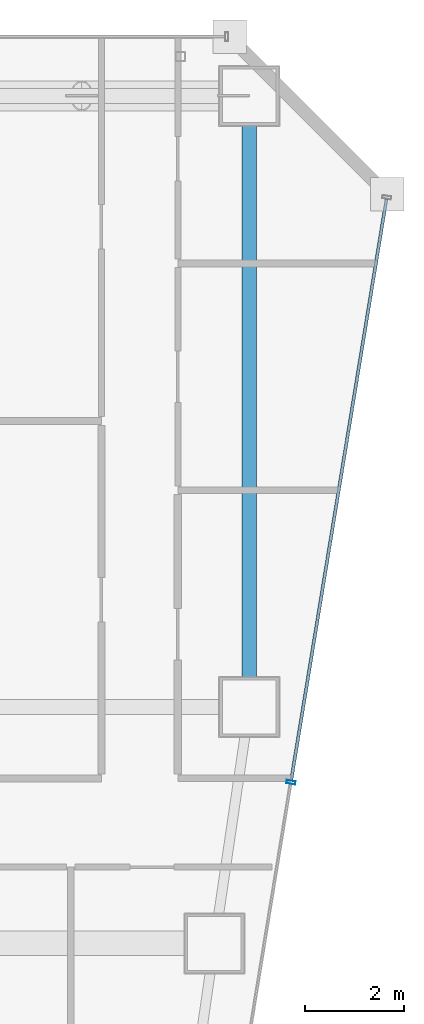
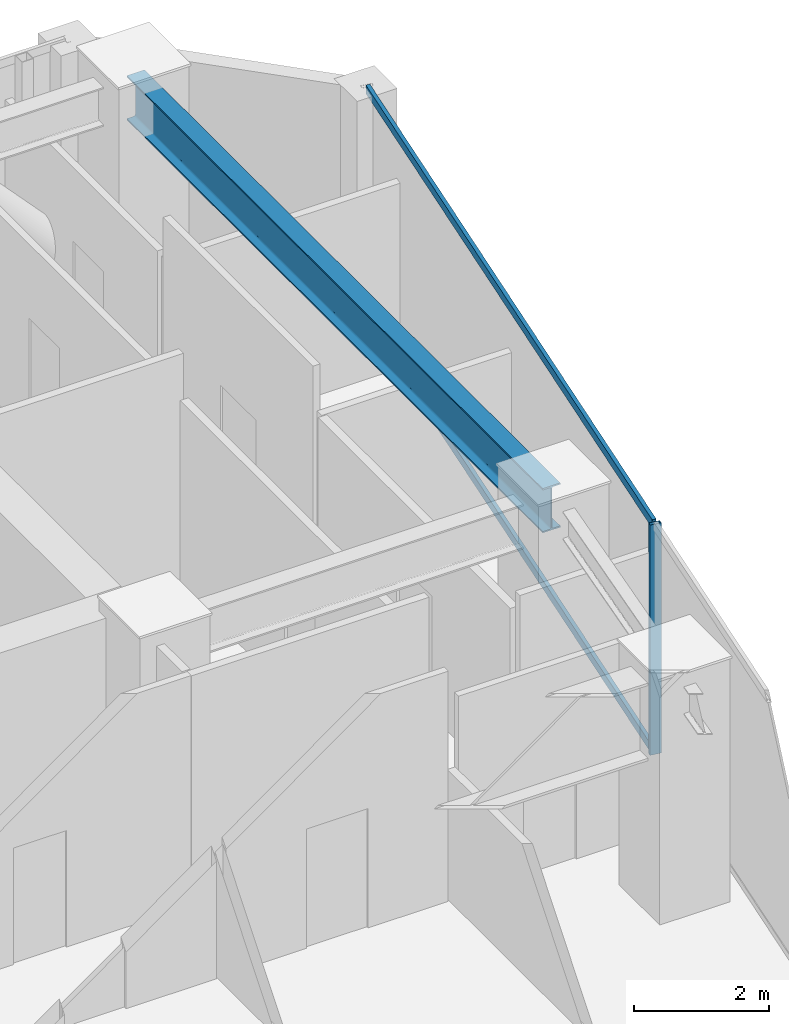
# One storey, part 30 of 40: 3 members, 1 beam, 1 element without a shape of its own.
"""IFC4 building model written with IfcOpenShell, lengths in metres."""

import ifcopenshell
import ifcopenshell.guid

model = None  # the IFC model being written
_history = None  # IfcOwnerHistory: only IFC2X3 demands one
_inside = {}  # id of a spatial element -> (the spatial element, [elements in it])
_under = {}  # id of a project, library or spatial element -> (it, [spatial elements below it])
_declared = {}  # id of a project -> (the project, [libraries it declares])
_typed = {}  # id of a type object -> (the type object, [elements of that type])
_made_of = {}  # id of a material, layer set ... -> (it, [elements and type objects made of it])


def new_model(schema):
    """Start an empty IFC model of exactly this schema.

    Asked for "IFC4X3", IfcOpenShell would pick the latest addendum, in which some entities
    have other attributes; the version numbers below select the first issue.
    IFC2X3 requires an IfcOwnerHistory on every rooted entity: one is made here for all.
    """
    global model, _history
    if schema == "IFC4X3":
        model = ifcopenshell.file(schema_version=(4, 3, 0, 0))
    else:
        model = ifcopenshell.file(schema=schema)
    _inside.clear()
    _under.clear()
    _declared.clear()
    _typed.clear()
    _made_of.clear()
    _history = None
    if model.schema == "IFC2X3":
        org = make("IfcOrganization", Name="unknown")
        user = make(
            "IfcPersonAndOrganization",
            ThePerson=make("IfcPerson", FamilyName="unknown"),
            TheOrganization=org,
        )
        app = make(
            "IfcApplication",
            ApplicationDeveloper=org,
            Version="unknown",
            ApplicationFullName="unknown",
            ApplicationIdentifier="unknown",
        )
        _history = make(
            "IfcOwnerHistory",
            OwningUser=user,
            OwningApplication=app,
            ChangeAction="ADDED",
            CreationDate=0,
        )
    return model


def make(cls, **values):
    """One entity of the class cls with the attributes given. An attribute that is None is left unset."""
    return model.create_entity(
        cls, **{name: value for name, value in values.items() if value is not None}
    )


def rooted(cls, **values):
    """An entity with a GlobalId (a new one), such as an element, a storey or a relation."""
    return make(cls, GlobalId=ifcopenshell.guid.new(), OwnerHistory=_history, **values)


def si_unit(unit_type, name, prefix=None):
    """IfcSIUnit, for example si_unit("LENGTHUNIT", "METRE", prefix="MILLI")."""
    return make("IfcSIUnit", UnitType=unit_type, Prefix=prefix, Name=name)


def assignment(units):
    """IfcUnitAssignment: the units of a project."""
    return None if units is None else make("IfcUnitAssignment", Units=units)


def point(xyz):
    """IfcCartesianPoint."""
    return None if xyz is None else make("IfcCartesianPoint", Coordinates=xyz)


def direction(xyz):
    """IfcDirection."""
    return None if xyz is None else make("IfcDirection", DirectionRatios=xyz)


def frame(location, z_axis=None, x_axis=None):
    """IfcAxis2Placement3D, a coordinate frame: its origin and axes. An axis left out is left unset."""
    return make(
        "IfcAxis2Placement3D",
        Location=point(location),
        Axis=direction(z_axis),
        RefDirection=direction(x_axis),
    )


def frame_2d(location, x_axis=None):
    """IfcAxis2Placement2D, a coordinate frame in the plane: its origin and x axis."""
    return make(
        "IfcAxis2Placement2D", Location=point(location), RefDirection=direction(x_axis)
    )


def origin():
    """The frame at (0, 0, 0) with its axes left unset."""
    return frame((0.0, 0.0, 0.0))


def origin_2d():
    """The frame at (0, 0) in the plane with its x axis left unset."""
    return frame_2d((0.0, 0.0))


def place(relative_to, where):
    """IfcLocalPlacement: puts the frame where relative to a parent placement (None: the world)."""
    return make(
        "IfcLocalPlacement", PlacementRelTo=relative_to, RelativePlacement=where
    )


def context(
    kind, dimensions, precision=None, world=None, true_north=None, identifier=None
):
    """IfcGeometricRepresentationContext, for example the 3D "Model" context."""
    return make(
        "IfcGeometricRepresentationContext",
        ContextIdentifier=identifier,
        ContextType=kind,
        CoordinateSpaceDimension=dimensions,
        Precision=precision,
        WorldCoordinateSystem=world,
        TrueNorth=true_north,
    )


def subcontext(parent, identifier, kind, view, scale=None):
    """IfcGeometricRepresentationSubContext, for example "Body" below "Model"."""
    return make(
        "IfcGeometricRepresentationSubContext",
        ContextIdentifier=identifier,
        ContextType=kind,
        ParentContext=parent,
        TargetScale=scale,
        TargetView=view,
    )


def project(units=None, contexts=None):
    """IfcProject with its units and contexts."""
    return rooted(
        "IfcProject",
        Name="project",
        RepresentationContexts=contexts,
        UnitsInContext=assignment(units),
    )


def spatial(cls, under=None, at=None, **own):
    """A site, building, storey or space (cls), placed at a placement, below another one or the project."""
    s = rooted(cls, ObjectPlacement=at, **own)
    if under is not None:
        _under.setdefault(under.id(), (under, []))[1].append(s)
    return s


def profile(cls, at=None, kind="AREA", **sizes):
    """A parametric profile (cls). Its sizes go by their IFC names, for example OverallWidth=200.0."""
    return make(cls, ProfileType=kind, Position=at, **sizes)


def hollow_rectangle(**sizes):
    """IfcRectangleHollowProfileDef."""
    return profile("IfcRectangleHollowProfileDef", **sizes)


def i_section(**sizes):
    """IfcIShapeProfileDef."""
    return profile("IfcIShapeProfileDef", **sizes)


def extrude(swept, where, along, depth):
    """IfcExtrudedAreaSolid: the profile swept, set in the frame where, extruded along a direction by depth."""
    return make(
        "IfcExtrudedAreaSolid",
        SweptArea=swept,
        Position=where,
        ExtrudedDirection=direction(along),
        Depth=depth,
    )


def shape(context_of_items, identifier, shape_type, items):
    """IfcShapeRepresentation: the items that make up one representation, for example the "Body"."""
    return make(
        "IfcShapeRepresentation",
        ContextOfItems=context_of_items,
        RepresentationIdentifier=identifier,
        RepresentationType=shape_type,
        Items=items,
    )


def material(Name=None, Category=None):
    """IfcMaterial."""
    return make("IfcMaterial", Name=Name, Category=Category)


def material_profile(
    of_material, cross_section, Name=None, Category=None, Priority=None
):
    """IfcMaterialProfile: a cross section and its material."""
    return make(
        "IfcMaterialProfile",
        Name=Name,
        Material=of_material,
        Profile=cross_section,
        Priority=Priority,
        Category=Category,
    )


def profile_set(profiles, Name=None, composite=None):
    """IfcMaterialProfileSet."""
    return make(
        "IfcMaterialProfileSet",
        Name=Name,
        MaterialProfiles=profiles,
        CompositeProfile=composite,
    )


def made_of(thing, what):
    """Note that an element or type object is made of a material, layer set ...; save() writes the relation."""
    if what is not None:
        _made_of.setdefault(what.id(), (what, []))[1].append(thing)
    return thing


def type_object(cls, material=None, **own):
    """A type object (cls), such as IfcWallType, which elements share."""
    return made_of(rooted(cls, **own), material)


def element(
    cls,
    number,
    at=None,
    inside=None,
    cuts=None,
    type_object=None,
    material=None,
    context=None,
    identifier="Body",
    shape_type=None,
    held_by="IfcProductDefinitionShape",
    body=None,
    shapes=None,
    **own,
):
    """One element of the class cls, such as IfcWall. Its Tag is "e" and its number.

    at: its placement. inside: the storey or other place that contains it. cuts: it is an
    opening in that element (IfcRelVoidsElement). A single representation is given by context,
    identifier, shape_type and body (its items); several are given by shapes. held_by: the class
    of the entity that holds the representations. save() writes the other relations.
    """
    e = rooted(cls, Tag="e%d" % number, ObjectPlacement=at, **own)
    if body is not None:
        shapes = [shape(context, identifier, shape_type, body)]
    if shapes is not None:
        e.Representation = make(held_by, Representations=shapes)
    if inside is not None:
        _inside.setdefault(inside.id(), (inside, []))[1].append(e)
    if cuts is not None:
        rooted(
            "IfcRelVoidsElement", RelatingBuildingElement=cuts, RelatedOpeningElement=e
        )
    if type_object is not None:
        _typed.setdefault(type_object.id(), (type_object, []))[1].append(e)
    return made_of(e, material)


def aggregate(whole, parts):
    """IfcRelAggregates: a whole, such as a stair, and the parts it consists of."""
    return rooted("IfcRelAggregates", RelatingObject=whole, RelatedObjects=parts)


def save(model, path):
    """Write the relations noted so far, then the file.

    IfcRelAggregates (storeys below a building ...), IfcRelContainedInSpatialStructure (elements
    in a storey), IfcRelDefinesByType, IfcRelAssociatesMaterial and IfcRelDeclares: one each for
    every whole, place, type object, material and project.
    """
    for whole, parts in _under.values():
        aggregate(whole, parts)
    for where, things in _inside.values():
        rooted(
            "IfcRelContainedInSpatialStructure",
            RelatedElements=things,
            RelatingStructure=where,
        )
    for kind, things in _typed.values():
        rooted("IfcRelDefinesByType", RelatedObjects=things, RelatingType=kind)
    for what, things in _made_of.values():
        rooted("IfcRelAssociatesMaterial", RelatedObjects=things, RelatingMaterial=what)
    for by, libraries in _declared.values():
        rooted("IfcRelDeclares", RelatingContext=by, RelatedDefinitions=libraries)
    model.write(path)


model = new_model("IFC4")

# Units and contexts
model_context = context("Model", 3, precision=1e-05, world=origin(), true_north=direction((0.0, 1.0)))
body_context = subcontext(model_context, "Body", "Model", "MODEL_VIEW")
ifc_project = project(units=[si_unit("LENGTHUNIT", "METRE"), si_unit("AREAUNIT", "SQUARE_METRE"), si_unit("VOLUMEUNIT", "CUBIC_METRE"), si_unit("PLANEANGLEUNIT", "RADIAN"), si_unit("MASSUNIT", "GRAM", prefix="KILO")], contexts=[model_context])

# Site, building, storey
site_placement = place(None, origin())
site = spatial("IfcSite", under=ifc_project, at=site_placement, CompositionType="ELEMENT")
building_placement = place(site_placement, origin())
building = spatial("IfcBuilding", under=site, at=building_placement, Name="Saevonmaru Cultural Tower", CompositionType="ELEMENT")
storey_placement = place(building_placement, frame((0.0, 0.0, 97.199951171875)))
storey = spatial("IfcBuildingStorey", under=building, at=storey_placement, Name="L20", CompositionType="ELEMENT", Elevation=97.199951171875)

# Beam
ifc_material_1 = material(Name="Steel SM420", Category="steel")
ifc_material_profile_1 = material_profile(ifc_material_1, i_section(OverallWidth=0.300048828125, OverallDepth=0.800048828125, WebThickness=0.013916015625, FlangeThickness=0.02587890625, FilletRadius=0.028076171875, at=origin_2d()), Name="H-800x300x14x26")
ifc_profile_set_1 = profile_set([ifc_material_profile_1], Name="Steel SM420")
beam_type = type_object("IfcBeamType", Name="BM-G-H800", PredefinedType="BEAM", material=ifc_profile_set_1)
beam_placement = place(storey_placement, frame((53.199951171875, 54.739990234375, 3.75), z_axis=(0.0, -1.0, 0.0), x_axis=(1.0, 0.0, 0.0)))
element("IfcBeam", 1, at=beam_placement, inside=storey, type_object=beam_type, Name="L20 Spine Transverse Girder E", PredefinedType="BEAM", context=body_context, shape_type="SweptSolid", body=[
    extrude(i_section(OverallWidth=0.300048828125, OverallDepth=0.800048828125, WebThickness=0.013916015625, FlangeThickness=0.02587890625, FilletRadius=0.028076171875, at=origin_2d()), origin(), (0.0, 0.0, 1.0), 12.280029296875),
])

# Curtain wall, members
ifc_material_2 = material(Name="Satin Bronze Anodised Aluminium", Category="aluminium")
curtain_wall_type = type_object("IfcCurtainWallType", Name="CW-TYP-A", PredefinedType="NOTDEFINED", material=ifc_material_2)
curtain_wall_placement = place(storey_placement, origin())
curtain_wall = element("IfcCurtainWall", 2, at=curtain_wall_placement, inside=storey, type_object=curtain_wall_type, Name="L20 Unitised Curtain Wall E8", PredefinedType="NOTDEFINED")
ifc_material_profile_2 = material_profile(ifc_material_2, hollow_rectangle(XDim=0.06494140625, YDim=0.179931640625, WallThickness=0.00390625, at=origin_2d()), Name="ALU-MULL-180x65x4")
ifc_profile_set_2 = profile_set([ifc_material_profile_2], Name="Satin Bronze Anodised Aluminium")
member_type_1 = type_object("IfcMemberType", Name="ML-CW-180x65", PredefinedType="MULLION", material=ifc_profile_set_2)
member_1_placement = place(storey_placement, frame((54.045166015625, 40.870361328125, 0.0), z_axis=(0.0, 0.0, 1.0), x_axis=(0.161708868641, 0.986838508472, 0.0)))
member_1 = element("IfcMember", 3, at=member_1_placement, type_object=member_type_1, Name="CW-TW-L20-E8 mullion 4", PredefinedType="MULLION", context=body_context, shape_type="SweptSolid", body=[
    extrude(hollow_rectangle(XDim=0.06494140625, YDim=0.179931640625, WallThickness=0.00390625, at=origin_2d()), origin(), (0.0, 0.0, 1.0), 4.150146484375),
])
ifc_material_profile_3 = material_profile(ifc_material_2, hollow_rectangle(XDim=0.06494140625, YDim=0.14990234375, WallThickness=0.00390625, at=origin_2d()), Name="ALU-TRAN-150x65x4")
ifc_profile_set_3 = profile_set([ifc_material_profile_3], Name="Satin Bronze Anodised Aluminium")
member_type_2 = type_object("IfcMemberType", Name="TR-CW-150x65", PredefinedType="USERDEFINED", material=ifc_profile_set_3)
member_2_placement = place(storey_placement, frame((54.05029296875, 40.902587890625, 0.032470703125), z_axis=(0.161724530373, 0.986835941925, 0.0), x_axis=(-0.986835941925, 0.161724530373, 0.0)))
member_2 = element("IfcMember", 4, at=member_2_placement, type_object=member_type_2, Name="CW-TW-L20-E8 transom 4.1", ObjectType="TRANSOM", PredefinedType="USERDEFINED", context=body_context, shape_type="SweptSolid", body=[
    extrude(hollow_rectangle(XDim=0.06494140625, YDim=0.14990234375, WallThickness=0.00390625, at=origin_2d()), origin(), (0.0, 0.0, 1.0), 11.963623046875),
])
member_3_placement = place(storey_placement, frame((54.05029296875, 40.902587890625, 4.117431640625), z_axis=(0.161724530373, 0.986835941925, 0.0), x_axis=(-0.986835941925, 0.161724530373, 0.0)))
member_3 = element("IfcMember", 5, at=member_3_placement, type_object=member_type_2, Name="CW-TW-L20-E8 transom 4.2", ObjectType="TRANSOM", PredefinedType="USERDEFINED", context=body_context, shape_type="SweptSolid", body=[
    extrude(hollow_rectangle(XDim=0.06494140625, YDim=0.14990234375, WallThickness=0.00390625, at=origin_2d()), origin(), (0.0, 0.0, 1.0), 11.963623046875),
])
aggregate(curtain_wall, [member_1, member_2, member_3])

save(model, "model.ifc")
